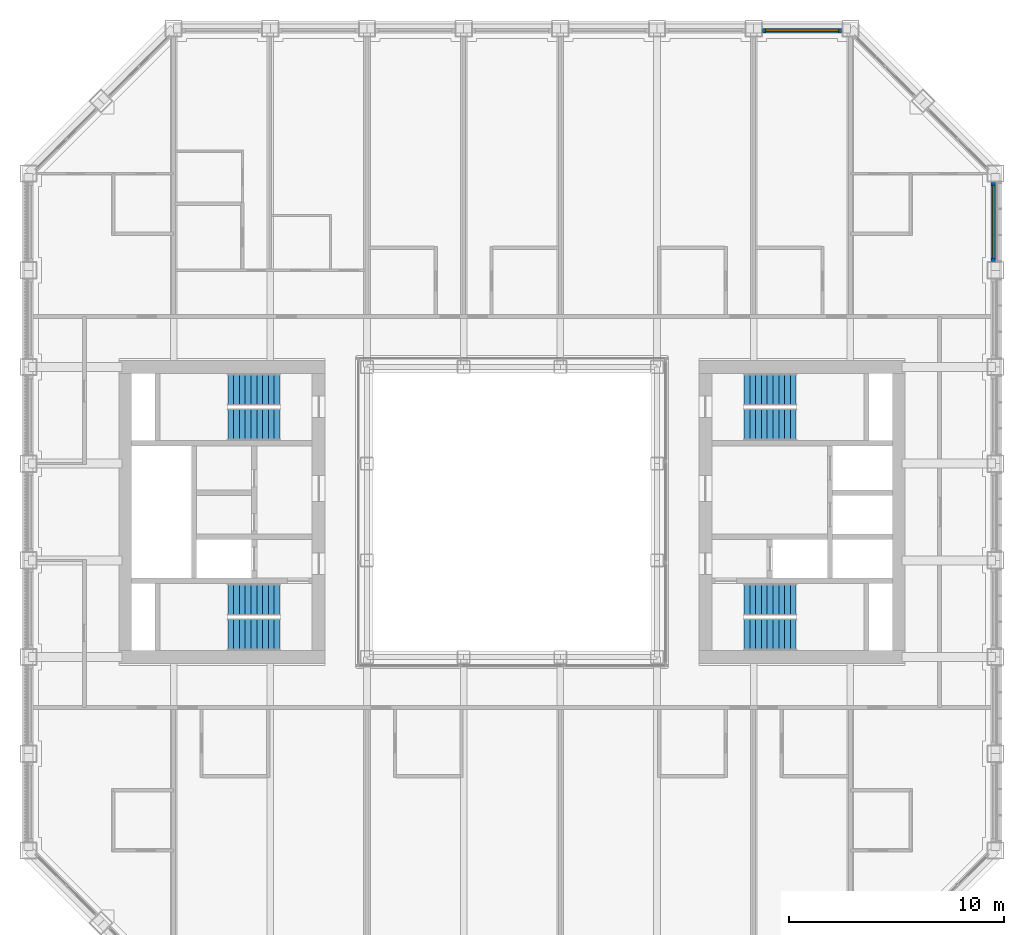
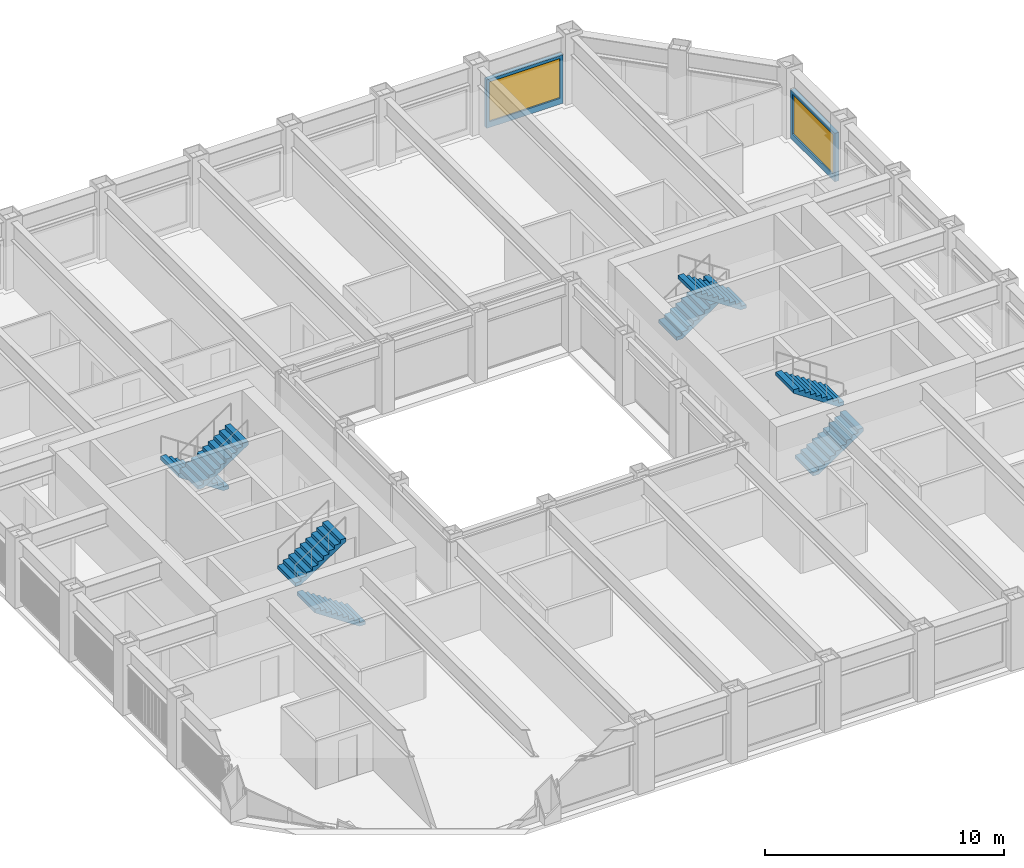
# One storey, part 14 of 17: 8 stair flights, 2 walls, 2 windows, 2 openings, 4 elements without a shape of their own.
"""IFC4 building model written with IfcOpenShell, lengths in metres."""

from ifc_helpers import new_model, si_unit, direction, frame, frame_2d, origin, place, context, subcontext, project, spatial, polyline, rectangle, outline, extrude, material, layer, layer_set, type_object, element, fill, aggregate, save


model = new_model("IFC4")

# Units and contexts
model_context = context("Model", 3, precision=1e-05, world=origin(), true_north=direction((0.0, 1.0)))
body_context = subcontext(model_context, "Body", "Model", "MODEL_VIEW")
ifc_project = project(units=[si_unit("LENGTHUNIT", "METRE"), si_unit("AREAUNIT", "SQUARE_METRE"), si_unit("VOLUMEUNIT", "CUBIC_METRE"), si_unit("PLANEANGLEUNIT", "RADIAN"), si_unit("MASSUNIT", "GRAM", prefix="KILO")], contexts=[model_context])

# Site, building, storey
site_placement = place(None, origin())
site = spatial("IfcSite", under=ifc_project, at=site_placement, CompositionType="ELEMENT")
building_placement = place(site_placement, origin())
building = spatial("IfcBuilding", under=site, at=building_placement, Name="Msasa Ring Tower", CompositionType="ELEMENT")
storey_placement = place(building_placement, frame((0.0, 0.0, 179.60009765625)))
storey = spatial("IfcBuildingStorey", under=building, at=storey_placement, Name="L47", CompositionType="ELEMENT", Elevation=179.60009765625)

# Wall, opening, window
ifc_material_1 = material(Name="Terracotta rainscreen on blockwork", Category="masonry")
ifc_layer = layer(ifc_material_1, 0.199951171875)
ifc_layer_set = layer_set([ifc_layer], Name="FW1 TERRACOTTA-LINED INFILL BAY WALL 200")
wall_type = type_object("IfcWallType", Name="FW1 TERRACOTTA-LINED INFILL BAY WALL 200", PredefinedType="SOLIDWALL", material=ifc_layer_set)
wall_1_placement = place(storey_placement, frame((22.39990234375, 11.655029296875, 0.0), z_axis=(0.0, 0.0, 1.0), x_axis=(0.0, 1.0, 0.0)))
wall_1 = element("IfcWall", 1, at=wall_1_placement, inside=storey, type_object=wall_type, Name="Infill bay wall E L47 15", PredefinedType="SOLIDWALL", context=body_context, shape_type="SweptSolid", body=[
    extrude(rectangle(XDim=3.68994140625, YDim=0.199951171875, at=frame_2d((1.844970703125, 0.0))), origin(), (0.0, 0.0, 1.0), 2.47900390625),
])
opening_1_placement = place(wall_1_placement, frame((0.14501953125, 0.0, 0.300048828125)))
opening_1 = element("IfcOpeningElement", 2, at=opening_1_placement, cuts=wall_1, Name="Opening WN2", PredefinedType="OPENING", context=body_context, shape_type="SweptSolid", body=[
    extrude(rectangle(XDim=3.39990234375, YDim=2.029052734375, at=frame_2d((1.699951171875, 1.0146484375))), frame((0.0, 0.10986328125, 0.0), z_axis=(0.0, -1.0, 0.0), x_axis=(1.0, 0.0, 0.0)), (0.0, 0.0, 1.0), 0.219970703125),
])
ifc_material_2 = material(Name="Aluminium frame with clear glass", Category="aluminium")
window_type = type_object("IfcWindowType", Name="WN2 GUEST ROOM WINDOW 3400x2029", PartitioningType="SINGLE_PANEL", PredefinedType="WINDOW", material=ifc_material_2)
window_1_placement = place(opening_1_placement, origin())
window_1 = element("IfcWindow", 3, at=window_1_placement, inside=storey, type_object=window_type, Name="Window E L47 15", OverallHeight=2.029052734375, OverallWidth=3.39990234375, PartitioningType="SINGLE_PANEL", PredefinedType="WINDOW", context=body_context, shape_type="SweptSolid", body=[
    extrude(rectangle(XDim=3.39990234375, YDim=2.029052734375, at=frame_2d((1.699951171875, 1.0146484375))), frame((0.0, 0.030029296875, 0.0), z_axis=(0.0, -1.0, 0.0), x_axis=(1.0, 0.0, 0.0)), (0.0, 0.0, 1.0), 0.06005859375),
])
fill(opening_1, window_1)

wall_2_placement = place(storey_placement, frame((11.655029296875, 22.39990234375, 0.0), z_axis=(0.0, 0.0, 1.0), x_axis=(1.0, 0.0, 0.0)))
wall_2 = element("IfcWall", 4, at=wall_2_placement, inside=storey, type_object=wall_type, Name="Infill bay wall N L47 24", PredefinedType="SOLIDWALL", context=body_context, shape_type="SweptSolid", body=[
    extrude(rectangle(XDim=3.68994140625, YDim=0.199951171875, at=frame_2d((1.844970703125, 0.0))), origin(), (0.0, 0.0, 1.0), 2.47900390625),
])
opening_2_placement = place(wall_2_placement, frame((0.14501953125, 0.0, 0.300048828125)))
opening_2 = element("IfcOpeningElement", 5, at=opening_2_placement, cuts=wall_2, Name="Opening WN2", PredefinedType="OPENING", context=body_context, shape_type="SweptSolid", body=[
    extrude(rectangle(XDim=3.39990234375, YDim=2.029052734375, at=frame_2d((1.699951171875, 1.0146484375))), frame((0.0, 0.10986328125, 0.0), z_axis=(0.0, -1.0, 0.0), x_axis=(1.0, 0.0, 0.0)), (0.0, 0.0, 1.0), 0.219970703125),
])
window_2_placement = place(opening_2_placement, origin())
window_2 = element("IfcWindow", 6, at=window_2_placement, inside=storey, type_object=window_type, Name="Window N L47 24", OverallHeight=2.029052734375, OverallWidth=3.39990234375, PartitioningType="SINGLE_PANEL", PredefinedType="WINDOW", context=body_context, shape_type="SweptSolid", body=[
    extrude(rectangle(XDim=3.39990234375, YDim=2.029052734375, at=frame_2d((1.699951171875, 1.0146484375))), frame((0.0, 0.030029296875, 0.0), z_axis=(0.0, -1.0, 0.0), x_axis=(1.0, 0.0, 0.0)), (0.0, 0.0, 1.0), 0.06005859375),
])
fill(opening_2, window_2)

# Stair, stair flights
ifc_material_3 = material(Name="Concrete C40/50", Category="concrete")
stair_type = type_object("IfcStairType", Name="STC CORE STAIR 20 RISERS 180", PredefinedType="HALF_TURN_STAIR", material=ifc_material_3)
stair_1_placement = place(storey_placement, origin())
stair_1 = element("IfcStair", 7, at=stair_1_placement, inside=storey, type_object=stair_type, Name="Core stair SEA L47", PredefinedType="HALF_TURN_STAIR")
ifc_material_4 = material(Name="Concrete C40/50", Category="concrete")
stair_flight_type = type_object("IfcStairFlightType", Name="ST14 CORE STAIR FLIGHT 1500 10 RISERS 180", PredefinedType="STRAIGHT", material=ifc_material_4)
stair_flight_1_placement = place(storey_placement, frame((10.800048828125, -5.699951171875, 0.0), z_axis=(0.0, 0.0, 1.0), x_axis=(1.0, 0.0, 0.0)))
stair_flight_1 = element("IfcStairFlight", 8, at=stair_flight_1_placement, type_object=stair_flight_type, Name="SEA flight 1", NumberOfRisers=10, NumberOfTreads=9, PredefinedType="STRAIGHT", RiserHeight=0.18, TreadLength=0.27, context=body_context, shape_type="SweptSolid", body=[
    extrude(outline(polyline([(0.0, 0.0), (0.0, 0.179931640625), (0.27001953125, 0.179931640625), (0.27001953125, 0.360107421875), (0.5400390625, 0.360107421875), (0.5400390625, 0.5400390625), (0.81005859375, 0.5400390625), (0.81005859375, 0.719970703125), (1.080078125, 0.719970703125), (1.080078125, 0.89990234375), (1.35009765625, 0.89990234375), (1.35009765625, 1.080078125), (1.6201171875, 1.080078125), (1.6201171875, 1.260009765625), (1.889892578125, 1.260009765625), (1.889892578125, 1.43994140625), (2.159912109375, 1.43994140625), (2.159912109375, 1.6201171875), (2.429931640625, 1.6201171875), (2.429931640625, 1.800048828125), (2.429931640625, 1.43994140625), (0.270263671875, 0.0), (0.0, 0.0)])), frame((0.0, 0.75, 0.0), z_axis=(0.0, -1.0, 0.0), x_axis=(1.0, 0.0, 0.0)), (0.0, 0.0, 1.0), 1.5),
])
stair_flight_2_placement = place(storey_placement, frame((13.22998046875, -4.074951171875, 1.7998046875), z_axis=(0.0, 0.0, 1.0), x_axis=(-1.0, 0.0, 0.0)))
stair_flight_2 = element("IfcStairFlight", 9, at=stair_flight_2_placement, type_object=stair_flight_type, Name="SEA flight 2", NumberOfRisers=10, NumberOfTreads=9, PredefinedType="STRAIGHT", RiserHeight=0.18, TreadLength=0.27, context=body_context, shape_type="SweptSolid", body=[
    extrude(outline(polyline([(0.0, 0.0), (0.0, 0.179931640625), (0.27001953125, 0.179931640625), (0.27001953125, 0.360107421875), (0.5400390625, 0.360107421875), (0.5400390625, 0.5400390625), (0.81005859375, 0.5400390625), (0.81005859375, 0.719970703125), (1.080078125, 0.719970703125), (1.080078125, 0.89990234375), (1.35009765625, 0.89990234375), (1.35009765625, 1.080078125), (1.6201171875, 1.080078125), (1.6201171875, 1.260009765625), (1.889892578125, 1.260009765625), (1.889892578125, 1.43994140625), (2.159912109375, 1.43994140625), (2.159912109375, 1.6201171875), (2.429931640625, 1.6201171875), (2.429931640625, 1.800048828125), (2.429931640625, 1.43994140625), (0.270263671875, 0.0), (0.0, 0.0)])), frame((0.0, 0.75, 0.0), z_axis=(0.0, -1.0, 0.0), x_axis=(1.0, 0.0, 0.0)), (0.0, 0.0, 1.0), 1.5),
])
aggregate(stair_1, [stair_flight_1, stair_flight_2])

stair_2_placement = place(storey_placement, origin())
stair_2 = element("IfcStair", 10, at=stair_2_placement, inside=storey, type_object=stair_type, Name="Core stair SEB L47", PredefinedType="HALF_TURN_STAIR")
stair_flight_3_placement = place(storey_placement, frame((10.800048828125, 5.699951171875, 0.0), z_axis=(0.0, 0.0, 1.0), x_axis=(1.0, 0.0, 0.0)))
stair_flight_3 = element("IfcStairFlight", 11, at=stair_flight_3_placement, type_object=stair_flight_type, Name="SEB flight 1", NumberOfRisers=10, NumberOfTreads=9, PredefinedType="STRAIGHT", RiserHeight=0.18, TreadLength=0.27, context=body_context, shape_type="SweptSolid", body=[
    extrude(outline(polyline([(0.0, 0.0), (0.0, 0.179931640625), (0.27001953125, 0.179931640625), (0.27001953125, 0.360107421875), (0.5400390625, 0.360107421875), (0.5400390625, 0.5400390625), (0.81005859375, 0.5400390625), (0.81005859375, 0.719970703125), (1.080078125, 0.719970703125), (1.080078125, 0.89990234375), (1.35009765625, 0.89990234375), (1.35009765625, 1.080078125), (1.6201171875, 1.080078125), (1.6201171875, 1.260009765625), (1.889892578125, 1.260009765625), (1.889892578125, 1.43994140625), (2.159912109375, 1.43994140625), (2.159912109375, 1.6201171875), (2.429931640625, 1.6201171875), (2.429931640625, 1.800048828125), (2.429931640625, 1.43994140625), (0.270263671875, 0.0), (0.0, 0.0)])), frame((0.0, 0.75, 0.0), z_axis=(0.0, -1.0, 0.0), x_axis=(1.0, 0.0, 0.0)), (0.0, 0.0, 1.0), 1.5),
])
stair_flight_4_placement = place(storey_placement, frame((13.22998046875, 4.074951171875, 1.7998046875), z_axis=(0.0, 0.0, 1.0), x_axis=(-1.0, 0.0, 0.0)))
stair_flight_4 = element("IfcStairFlight", 12, at=stair_flight_4_placement, type_object=stair_flight_type, Name="SEB flight 2", NumberOfRisers=10, NumberOfTreads=9, PredefinedType="STRAIGHT", RiserHeight=0.18, TreadLength=0.27, context=body_context, shape_type="SweptSolid", body=[
    extrude(outline(polyline([(0.0, 0.0), (0.0, 0.179931640625), (0.27001953125, 0.179931640625), (0.27001953125, 0.360107421875), (0.5400390625, 0.360107421875), (0.5400390625, 0.5400390625), (0.81005859375, 0.5400390625), (0.81005859375, 0.719970703125), (1.080078125, 0.719970703125), (1.080078125, 0.89990234375), (1.35009765625, 0.89990234375), (1.35009765625, 1.080078125), (1.6201171875, 1.080078125), (1.6201171875, 1.260009765625), (1.889892578125, 1.260009765625), (1.889892578125, 1.43994140625), (2.159912109375, 1.43994140625), (2.159912109375, 1.6201171875), (2.429931640625, 1.6201171875), (2.429931640625, 1.800048828125), (2.429931640625, 1.43994140625), (0.270263671875, 0.0), (0.0, 0.0)])), frame((0.0, 0.75, 0.0), z_axis=(0.0, -1.0, 0.0), x_axis=(1.0, 0.0, 0.0)), (0.0, 0.0, 1.0), 1.5),
])
aggregate(stair_2, [stair_flight_3, stair_flight_4])

stair_3_placement = place(storey_placement, origin())
stair_3 = element("IfcStair", 13, at=stair_3_placement, inside=storey, type_object=stair_type, Name="Core stair SWA L47", PredefinedType="HALF_TURN_STAIR")
stair_flight_5_placement = place(storey_placement, frame((-10.800048828125, -5.699951171875, 0.0), z_axis=(0.0, 0.0, 1.0), x_axis=(-1.0, 0.0, 0.0)))
stair_flight_5 = element("IfcStairFlight", 14, at=stair_flight_5_placement, type_object=stair_flight_type, Name="SWA flight 1", NumberOfRisers=10, NumberOfTreads=9, PredefinedType="STRAIGHT", RiserHeight=0.18, TreadLength=0.27, context=body_context, shape_type="SweptSolid", body=[
    extrude(outline(polyline([(0.0, 0.0), (0.0, 0.179931640625), (0.27001953125, 0.179931640625), (0.27001953125, 0.360107421875), (0.5400390625, 0.360107421875), (0.5400390625, 0.5400390625), (0.81005859375, 0.5400390625), (0.81005859375, 0.719970703125), (1.080078125, 0.719970703125), (1.080078125, 0.89990234375), (1.35009765625, 0.89990234375), (1.35009765625, 1.080078125), (1.6201171875, 1.080078125), (1.6201171875, 1.260009765625), (1.889892578125, 1.260009765625), (1.889892578125, 1.43994140625), (2.159912109375, 1.43994140625), (2.159912109375, 1.6201171875), (2.429931640625, 1.6201171875), (2.429931640625, 1.800048828125), (2.429931640625, 1.43994140625), (0.270263671875, 0.0), (0.0, 0.0)])), frame((0.0, 0.75, 0.0), z_axis=(0.0, -1.0, 0.0), x_axis=(1.0, 0.0, 0.0)), (0.0, 0.0, 1.0), 1.5),
])
stair_flight_6_placement = place(storey_placement, frame((-13.22998046875, -4.074951171875, 1.7998046875), z_axis=(0.0, 0.0, 1.0), x_axis=(1.0, 0.0, 0.0)))
stair_flight_6 = element("IfcStairFlight", 15, at=stair_flight_6_placement, type_object=stair_flight_type, Name="SWA flight 2", NumberOfRisers=10, NumberOfTreads=9, PredefinedType="STRAIGHT", RiserHeight=0.18, TreadLength=0.27, context=body_context, shape_type="SweptSolid", body=[
    extrude(outline(polyline([(0.0, 0.0), (0.0, 0.179931640625), (0.27001953125, 0.179931640625), (0.27001953125, 0.360107421875), (0.5400390625, 0.360107421875), (0.5400390625, 0.5400390625), (0.81005859375, 0.5400390625), (0.81005859375, 0.719970703125), (1.080078125, 0.719970703125), (1.080078125, 0.89990234375), (1.35009765625, 0.89990234375), (1.35009765625, 1.080078125), (1.6201171875, 1.080078125), (1.6201171875, 1.260009765625), (1.889892578125, 1.260009765625), (1.889892578125, 1.43994140625), (2.159912109375, 1.43994140625), (2.159912109375, 1.6201171875), (2.429931640625, 1.6201171875), (2.429931640625, 1.800048828125), (2.429931640625, 1.43994140625), (0.270263671875, 0.0), (0.0, 0.0)])), frame((0.0, 0.75, 0.0), z_axis=(0.0, -1.0, 0.0), x_axis=(1.0, 0.0, 0.0)), (0.0, 0.0, 1.0), 1.5),
])
aggregate(stair_3, [stair_flight_5, stair_flight_6])

stair_4_placement = place(storey_placement, origin())
stair_4 = element("IfcStair", 16, at=stair_4_placement, inside=storey, type_object=stair_type, Name="Core stair SWB L47", PredefinedType="HALF_TURN_STAIR")
stair_flight_7_placement = place(storey_placement, frame((-10.800048828125, 5.699951171875, 0.0), z_axis=(0.0, 0.0, 1.0), x_axis=(-1.0, 0.0, 0.0)))
stair_flight_7 = element("IfcStairFlight", 17, at=stair_flight_7_placement, type_object=stair_flight_type, Name="SWB flight 1", NumberOfRisers=10, NumberOfTreads=9, PredefinedType="STRAIGHT", RiserHeight=0.18, TreadLength=0.27, context=body_context, shape_type="SweptSolid", body=[
    extrude(outline(polyline([(0.0, 0.0), (0.0, 0.179931640625), (0.27001953125, 0.179931640625), (0.27001953125, 0.360107421875), (0.5400390625, 0.360107421875), (0.5400390625, 0.5400390625), (0.81005859375, 0.5400390625), (0.81005859375, 0.719970703125), (1.080078125, 0.719970703125), (1.080078125, 0.89990234375), (1.35009765625, 0.89990234375), (1.35009765625, 1.080078125), (1.6201171875, 1.080078125), (1.6201171875, 1.260009765625), (1.889892578125, 1.260009765625), (1.889892578125, 1.43994140625), (2.159912109375, 1.43994140625), (2.159912109375, 1.6201171875), (2.429931640625, 1.6201171875), (2.429931640625, 1.800048828125), (2.429931640625, 1.43994140625), (0.270263671875, 0.0), (0.0, 0.0)])), frame((0.0, 0.75, 0.0), z_axis=(0.0, -1.0, 0.0), x_axis=(1.0, 0.0, 0.0)), (0.0, 0.0, 1.0), 1.5),
])
stair_flight_8_placement = place(storey_placement, frame((-13.22998046875, 4.074951171875, 1.7998046875), z_axis=(0.0, 0.0, 1.0), x_axis=(1.0, 0.0, 0.0)))
stair_flight_8 = element("IfcStairFlight", 18, at=stair_flight_8_placement, type_object=stair_flight_type, Name="SWB flight 2", NumberOfRisers=10, NumberOfTreads=9, PredefinedType="STRAIGHT", RiserHeight=0.18, TreadLength=0.27, context=body_context, shape_type="SweptSolid", body=[
    extrude(outline(polyline([(0.0, 0.0), (0.0, 0.179931640625), (0.27001953125, 0.179931640625), (0.27001953125, 0.360107421875), (0.5400390625, 0.360107421875), (0.5400390625, 0.5400390625), (0.81005859375, 0.5400390625), (0.81005859375, 0.719970703125), (1.080078125, 0.719970703125), (1.080078125, 0.89990234375), (1.35009765625, 0.89990234375), (1.35009765625, 1.080078125), (1.6201171875, 1.080078125), (1.6201171875, 1.260009765625), (1.889892578125, 1.260009765625), (1.889892578125, 1.43994140625), (2.159912109375, 1.43994140625), (2.159912109375, 1.6201171875), (2.429931640625, 1.6201171875), (2.429931640625, 1.800048828125), (2.429931640625, 1.43994140625), (0.270263671875, 0.0), (0.0, 0.0)])), frame((0.0, 0.75, 0.0), z_axis=(0.0, -1.0, 0.0), x_axis=(1.0, 0.0, 0.0)), (0.0, 0.0, 1.0), 1.5),
])
aggregate(stair_4, [stair_flight_7, stair_flight_8])

save(model, "model.ifc")
